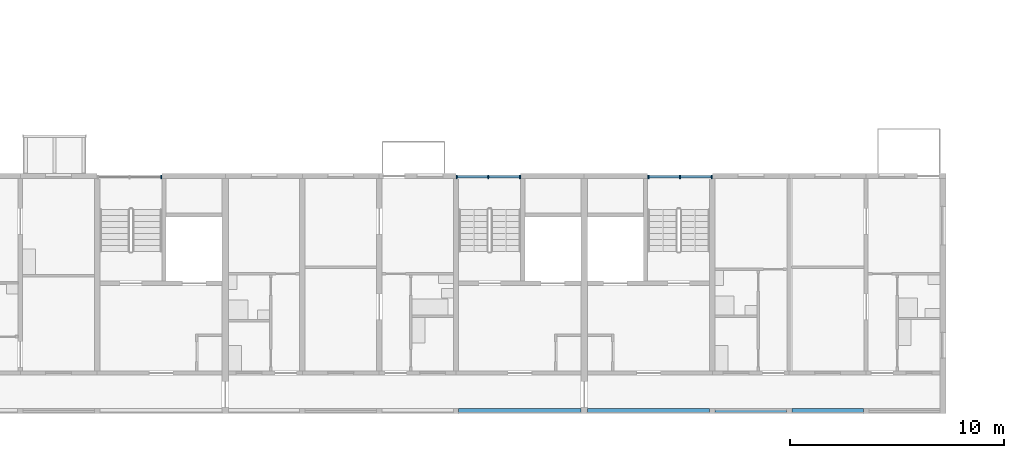
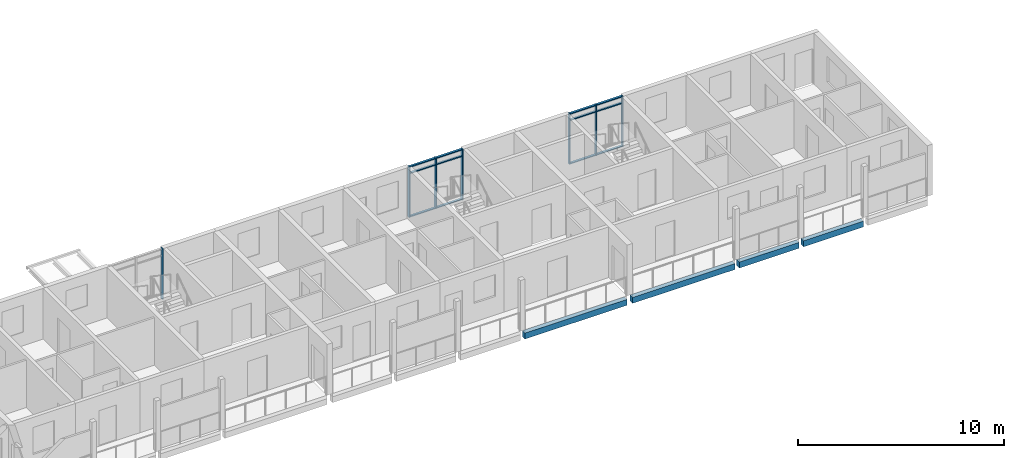
# One storey, part 8 of 99: 19 members, 4 beams, 3 elements without a shape of their own.
"""IFC4 building model written with IfcOpenShell, lengths in metres."""

from ifc_helpers import new_model, si_unit, direction, frame, origin, origin_2d, place, context, subcontext, project, spatial, rectangle, extrude, material, material_profile, profile_set, type_object, element, aggregate, save


model = new_model("IFC4")

# Units and contexts
model_context = context("Model", 3, precision=1e-05, world=origin(), true_north=direction((0.0, 1.0)))
body_context = subcontext(model_context, "Body", "Model", "MODEL_VIEW")
ifc_project = project(units=[si_unit("LENGTHUNIT", "METRE"), si_unit("AREAUNIT", "SQUARE_METRE"), si_unit("VOLUMEUNIT", "CUBIC_METRE"), si_unit("PLANEANGLEUNIT", "RADIAN"), si_unit("MASSUNIT", "GRAM", prefix="KILO")], contexts=[model_context])

# Site, building, storey
site_placement = place(None, origin())
site = spatial("IfcSite", under=ifc_project, at=site_placement, CompositionType="ELEMENT")
building_placement = place(site_placement, origin())
building = spatial("IfcBuilding", under=site, at=building_placement, Name="Ridgestep Commons", CompositionType="ELEMENT")
storey_placement = place(building_placement, frame((0.0, 0.0, 15.0)))
storey = spatial("IfcBuildingStorey", under=building, at=storey_placement, Name="L05", CompositionType="ELEMENT", Elevation=15.0)

# Beams
ifc_material_1 = material(Name="Precast concrete C40/50", Category="concrete")
ifc_material_profile_1 = material_profile(ifc_material_1, rectangle(XDim=0.25, YDim=0.35009765625, at=origin_2d()), Name="PC 250x350")
ifc_profile_set_1 = profile_set([ifc_material_profile_1], Name="Precast concrete C40/50")
beam_type = type_object("IfcBeamType", Name="Loggia edge beam 250 x 350", PredefinedType="SPANDREL", material=ifc_profile_set_1)
for number, where, z_axis, x_axis, name in (
    (1, (90.125, 11.875, -0.375), (1.0, 0.0, 0.0), (0.0, 1.0, 0.0), "Loggia edge beam A5C L05"),
    (2, (96.14990234375, 11.875, -0.375), (1.0, 0.0, 0.0), (0.0, 1.0, 0.0), "Loggia edge beam A6C L05"),
):
    element("IfcBeam", number, at=place(storey_placement, frame(where, z_axis=z_axis, x_axis=x_axis)), inside=storey, type_object=beam_type, Name=name, PredefinedType="SPANDREL", context=body_context, shape_type="SweptSolid", body=[
        extrude(rectangle(XDim=0.25, YDim=0.35009765625, at=origin_2d()), origin(), (0.0, 0.0, 1.0), 5.72509765625),
    ])
beam_1_placement = place(storey_placement, frame((102.125, 11.875, -0.375), z_axis=(1.0, 0.0, 0.0), x_axis=(0.0, 1.0, 0.0)))
element("IfcBeam", 3, at=beam_1_placement, inside=storey, type_object=beam_type, Name="Loggia edge beam A6T3 L05", PredefinedType="SPANDREL", context=body_context, shape_type="SweptSolid", body=[
    extrude(rectangle(XDim=0.25, YDim=0.35009765625, at=origin_2d()), origin(), (0.0, 0.0, 1.0), 3.35009765625),
])
beam_2_placement = place(storey_placement, frame((105.72509765625, 11.875, -0.375), z_axis=(1.0, 0.0, 0.0), x_axis=(0.0, 1.0, 0.0)))
element("IfcBeam", 4, at=beam_2_placement, inside=storey, type_object=beam_type, Name="Loggia edge beam A6T2 L05", PredefinedType="SPANDREL", context=body_context, shape_type="SweptSolid", body=[
    extrude(rectangle(XDim=0.25, YDim=0.35009765625, at=origin_2d()), origin(), (0.0, 0.0, 1.0), 3.349853515625),
])

# Curtain wall, member
ifc_material_2 = material(Name="Aluminium 6063-T6 and glass", Category="aluminium")
curtain_wall_type = type_object("IfcCurtainWallType", Name="Curtain wall stair strip", PredefinedType="NOTDEFINED", material=ifc_material_2)
curtain_wall_1_placement = place(storey_placement, origin())
curtain_wall_1 = element("IfcCurtainWall", 5, at=curtain_wall_1_placement, inside=storey, type_object=curtain_wall_type, Name="Curtain wall A4C level 05", PredefinedType="NOTDEFINED")
ifc_material_3 = material(Name="Aluminium 6063-T6", Category="aluminium")
ifc_material_profile_2 = material_profile(ifc_material_3, rectangle(XDim=0.159912109375, YDim=0.06005859375, at=origin_2d()), Name="Mullion 60 x 160")
ifc_profile_set_2 = profile_set([ifc_material_profile_2], Name="Aluminium 6063-T6")
member_type_1 = type_object("IfcMemberType", Name="Mullion 60 x 160", PredefinedType="MULLION", material=ifc_profile_set_2)
member_1_placement = place(storey_placement, frame((76.195068359375, 22.830078125, 0.0), z_axis=(0.0, 0.0, 1.0), x_axis=(0.0, 1.0, 0.0)))
member_1 = element("IfcMember", 6, at=member_1_placement, type_object=member_type_1, Name="CW1 mullion 3", PredefinedType="MULLION", context=body_context, shape_type="SweptSolid", body=[
    extrude(rectangle(XDim=0.159912109375, YDim=0.06005859375, at=origin_2d()), origin(), (0.0, 0.0, 1.0), 3.0),
])
aggregate(curtain_wall_1, [member_1])

# Curtain wall, members
curtain_wall_2_placement = place(storey_placement, origin())
curtain_wall_2 = element("IfcCurtainWall", 7, at=curtain_wall_2_placement, inside=storey, type_object=curtain_wall_type, Name="Curtain wall A5C level 05", PredefinedType="NOTDEFINED")
member_2_placement = place(storey_placement, frame((90.030029296875, 22.830078125, 0.0), z_axis=(0.0, 0.0, 1.0), x_axis=(0.0, 1.0, 0.0)))
member_2 = element("IfcMember", 8, at=member_2_placement, type_object=member_type_1, Name="CW1 mullion 1", PredefinedType="MULLION", context=body_context, shape_type="SweptSolid", body=[
    extrude(rectangle(XDim=0.159912109375, YDim=0.06005859375, at=origin_2d()), origin(), (0.0, 0.0, 1.0), 3.0),
])
member_3_placement = place(storey_placement, frame((91.512451171875, 22.830078125, 0.0), z_axis=(0.0, 0.0, 1.0), x_axis=(0.0, 1.0, 0.0)))
member_3 = element("IfcMember", 9, at=member_3_placement, type_object=member_type_1, Name="CW1 mullion 2", PredefinedType="MULLION", context=body_context, shape_type="SweptSolid", body=[
    extrude(rectangle(XDim=0.159912109375, YDim=0.06005859375, at=origin_2d()), origin(), (0.0, 0.0, 1.0), 3.0),
])
member_4_placement = place(storey_placement, frame((92.9951171875, 22.830078125, 0.0), z_axis=(0.0, 0.0, 1.0), x_axis=(0.0, 1.0, 0.0)))
member_4 = element("IfcMember", 10, at=member_4_placement, type_object=member_type_1, Name="CW1 mullion 3", PredefinedType="MULLION", context=body_context, shape_type="SweptSolid", body=[
    extrude(rectangle(XDim=0.159912109375, YDim=0.06005859375, at=origin_2d()), origin(), (0.0, 0.0, 1.0), 3.0),
])

curtain_wall_3_placement = place(storey_placement, origin())
curtain_wall_3 = element("IfcCurtainWall", 11, at=curtain_wall_3_placement, inside=storey, type_object=curtain_wall_type, Name="Curtain wall A6C level 05", PredefinedType="NOTDEFINED")
member_5_placement = place(storey_placement, frame((99.0048828125, 22.830078125, 0.0), z_axis=(0.0, 0.0, 1.0), x_axis=(0.0, 1.0, 0.0)))
member_5 = element("IfcMember", 12, at=member_5_placement, type_object=member_type_1, Name="CW1 mullion 1", PredefinedType="MULLION", context=body_context, shape_type="SweptSolid", body=[
    extrude(rectangle(XDim=0.159912109375, YDim=0.06005859375, at=origin_2d()), origin(), (0.0, 0.0, 1.0), 3.0),
])
member_6_placement = place(storey_placement, frame((100.487548828125, 22.830078125, 0.0), z_axis=(0.0, 0.0, 1.0), x_axis=(0.0, 1.0, 0.0)))
member_6 = element("IfcMember", 13, at=member_6_placement, type_object=member_type_1, Name="CW1 mullion 2", PredefinedType="MULLION", context=body_context, shape_type="SweptSolid", body=[
    extrude(rectangle(XDim=0.159912109375, YDim=0.06005859375, at=origin_2d()), origin(), (0.0, 0.0, 1.0), 3.0),
])
member_7_placement = place(storey_placement, frame((101.969970703125, 22.830078125, 0.0), z_axis=(0.0, 0.0, 1.0), x_axis=(0.0, 1.0, 0.0)))
member_7 = element("IfcMember", 14, at=member_7_placement, type_object=member_type_1, Name="CW1 mullion 3", PredefinedType="MULLION", context=body_context, shape_type="SweptSolid", body=[
    extrude(rectangle(XDim=0.159912109375, YDim=0.06005859375, at=origin_2d()), origin(), (0.0, 0.0, 1.0), 3.0),
])

# Member
ifc_material_4 = material(Name="Aluminium 6063-T6", Category="aluminium")
ifc_material_profile_3 = material_profile(ifc_material_4, rectangle(XDim=0.1201171875, YDim=0.06005859375, at=origin_2d()), Name="Transom 60 x 120")
ifc_profile_set_3 = profile_set([ifc_material_profile_3], Name="Aluminium 6063-T6")
member_type_2 = type_object("IfcMemberType", Name="Transom 60 x 120", PredefinedType="USERDEFINED", material=ifc_profile_set_3)
member_8_placement = place(storey_placement, frame((90.06005859375, 22.830078125, 0.030029296875), z_axis=(1.0, 0.0, 0.0), x_axis=(0.0, 1.0, 0.0)))
member_8 = element("IfcMember", 15, at=member_8_placement, type_object=member_type_2, Name="CW1 transom 1.1", ObjectType="TRANSOM", PredefinedType="USERDEFINED", context=body_context, shape_type="SweptSolid", body=[
    extrude(rectangle(XDim=0.1201171875, YDim=0.06005859375, at=origin_2d()), origin(), (0.0, 0.0, 1.0), 1.42236328125),
])

member_9_placement = place(storey_placement, frame((90.06005859375, 22.830078125, 2.590087890625), z_axis=(1.0, 0.0, 0.0), x_axis=(0.0, 1.0, 0.0)))
member_9 = element("IfcMember", 16, at=member_9_placement, type_object=member_type_2, Name="CW1 transom 1.2", ObjectType="TRANSOM", PredefinedType="USERDEFINED", context=body_context, shape_type="SweptSolid", body=[
    extrude(rectangle(XDim=0.1201171875, YDim=0.06005859375, at=origin_2d()), origin(), (0.0, 0.0, 1.0), 1.42236328125),
])

member_10_placement = place(storey_placement, frame((90.06005859375, 22.830078125, 2.969970703125), z_axis=(1.0, 0.0, 0.0), x_axis=(0.0, 1.0, 0.0)))
member_10 = element("IfcMember", 17, at=member_10_placement, type_object=member_type_2, Name="CW1 transom 1.3", ObjectType="TRANSOM", PredefinedType="USERDEFINED", context=body_context, shape_type="SweptSolid", body=[
    extrude(rectangle(XDim=0.1201171875, YDim=0.06005859375, at=origin_2d()), origin(), (0.0, 0.0, 1.0), 1.42236328125),
])

member_11_placement = place(storey_placement, frame((91.54248046875, 22.830078125, 0.030029296875), z_axis=(1.0, 0.0, 0.0), x_axis=(0.0, 1.0, 0.0)))
member_11 = element("IfcMember", 18, at=member_11_placement, type_object=member_type_2, Name="CW1 transom 2.1", ObjectType="TRANSOM", PredefinedType="USERDEFINED", context=body_context, shape_type="SweptSolid", body=[
    extrude(rectangle(XDim=0.1201171875, YDim=0.06005859375, at=origin_2d()), origin(), (0.0, 0.0, 1.0), 1.422607421875),
])

member_12_placement = place(storey_placement, frame((91.54248046875, 22.830078125, 2.590087890625), z_axis=(1.0, 0.0, 0.0), x_axis=(0.0, 1.0, 0.0)))
member_12 = element("IfcMember", 19, at=member_12_placement, type_object=member_type_2, Name="CW1 transom 2.2", ObjectType="TRANSOM", PredefinedType="USERDEFINED", context=body_context, shape_type="SweptSolid", body=[
    extrude(rectangle(XDim=0.1201171875, YDim=0.06005859375, at=origin_2d()), origin(), (0.0, 0.0, 1.0), 1.422607421875),
])

member_13_placement = place(storey_placement, frame((91.54248046875, 22.830078125, 2.969970703125), z_axis=(1.0, 0.0, 0.0), x_axis=(0.0, 1.0, 0.0)))
member_13 = element("IfcMember", 20, at=member_13_placement, type_object=member_type_2, Name="CW1 transom 2.3", ObjectType="TRANSOM", PredefinedType="USERDEFINED", context=body_context, shape_type="SweptSolid", body=[
    extrude(rectangle(XDim=0.1201171875, YDim=0.06005859375, at=origin_2d()), origin(), (0.0, 0.0, 1.0), 1.422607421875),
])

aggregate(curtain_wall_2, [member_2, member_3, member_4, member_8, member_9, member_10, member_11, member_12, member_13])

member_14_placement = place(storey_placement, frame((99.034912109375, 22.830078125, 0.030029296875), z_axis=(1.0, 0.0, 0.0), x_axis=(0.0, 1.0, 0.0)))
member_14 = element("IfcMember", 21, at=member_14_placement, type_object=member_type_2, Name="CW1 transom 1.1", ObjectType="TRANSOM", PredefinedType="USERDEFINED", context=body_context, shape_type="SweptSolid", body=[
    extrude(rectangle(XDim=0.1201171875, YDim=0.06005859375, at=origin_2d()), origin(), (0.0, 0.0, 1.0), 1.422607421875),
])

member_15_placement = place(storey_placement, frame((99.034912109375, 22.830078125, 2.590087890625), z_axis=(1.0, 0.0, 0.0), x_axis=(0.0, 1.0, 0.0)))
member_15 = element("IfcMember", 22, at=member_15_placement, type_object=member_type_2, Name="CW1 transom 1.2", ObjectType="TRANSOM", PredefinedType="USERDEFINED", context=body_context, shape_type="SweptSolid", body=[
    extrude(rectangle(XDim=0.1201171875, YDim=0.06005859375, at=origin_2d()), origin(), (0.0, 0.0, 1.0), 1.422607421875),
])

member_16_placement = place(storey_placement, frame((99.034912109375, 22.830078125, 2.969970703125), z_axis=(1.0, 0.0, 0.0), x_axis=(0.0, 1.0, 0.0)))
member_16 = element("IfcMember", 23, at=member_16_placement, type_object=member_type_2, Name="CW1 transom 1.3", ObjectType="TRANSOM", PredefinedType="USERDEFINED", context=body_context, shape_type="SweptSolid", body=[
    extrude(rectangle(XDim=0.1201171875, YDim=0.06005859375, at=origin_2d()), origin(), (0.0, 0.0, 1.0), 1.422607421875),
])

member_17_placement = place(storey_placement, frame((100.517578125, 22.830078125, 0.030029296875), z_axis=(1.0, 0.0, 0.0), x_axis=(0.0, 1.0, 0.0)))
member_17 = element("IfcMember", 24, at=member_17_placement, type_object=member_type_2, Name="CW1 transom 2.1", ObjectType="TRANSOM", PredefinedType="USERDEFINED", context=body_context, shape_type="SweptSolid", body=[
    extrude(rectangle(XDim=0.1201171875, YDim=0.06005859375, at=origin_2d()), origin(), (0.0, 0.0, 1.0), 1.42236328125),
])

member_18_placement = place(storey_placement, frame((100.517578125, 22.830078125, 2.590087890625), z_axis=(1.0, 0.0, 0.0), x_axis=(0.0, 1.0, 0.0)))
member_18 = element("IfcMember", 25, at=member_18_placement, type_object=member_type_2, Name="CW1 transom 2.2", ObjectType="TRANSOM", PredefinedType="USERDEFINED", context=body_context, shape_type="SweptSolid", body=[
    extrude(rectangle(XDim=0.1201171875, YDim=0.06005859375, at=origin_2d()), origin(), (0.0, 0.0, 1.0), 1.42236328125),
])

member_19_placement = place(storey_placement, frame((100.517578125, 22.830078125, 2.969970703125), z_axis=(1.0, 0.0, 0.0), x_axis=(0.0, 1.0, 0.0)))
member_19 = element("IfcMember", 26, at=member_19_placement, type_object=member_type_2, Name="CW1 transom 2.3", ObjectType="TRANSOM", PredefinedType="USERDEFINED", context=body_context, shape_type="SweptSolid", body=[
    extrude(rectangle(XDim=0.1201171875, YDim=0.06005859375, at=origin_2d()), origin(), (0.0, 0.0, 1.0), 1.42236328125),
])

aggregate(curtain_wall_3, [member_5, member_6, member_7, member_14, member_15, member_16, member_17, member_18, member_19])

save(model, "model.ifc")
